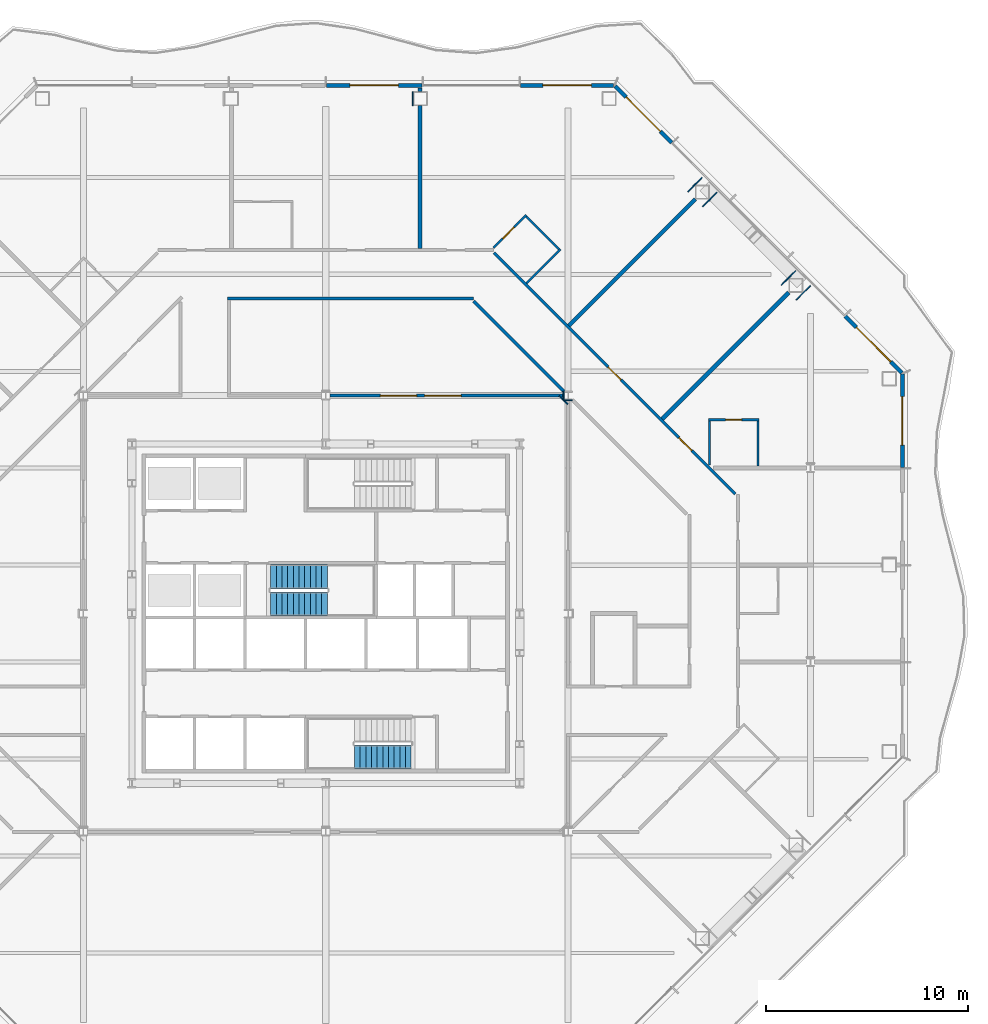
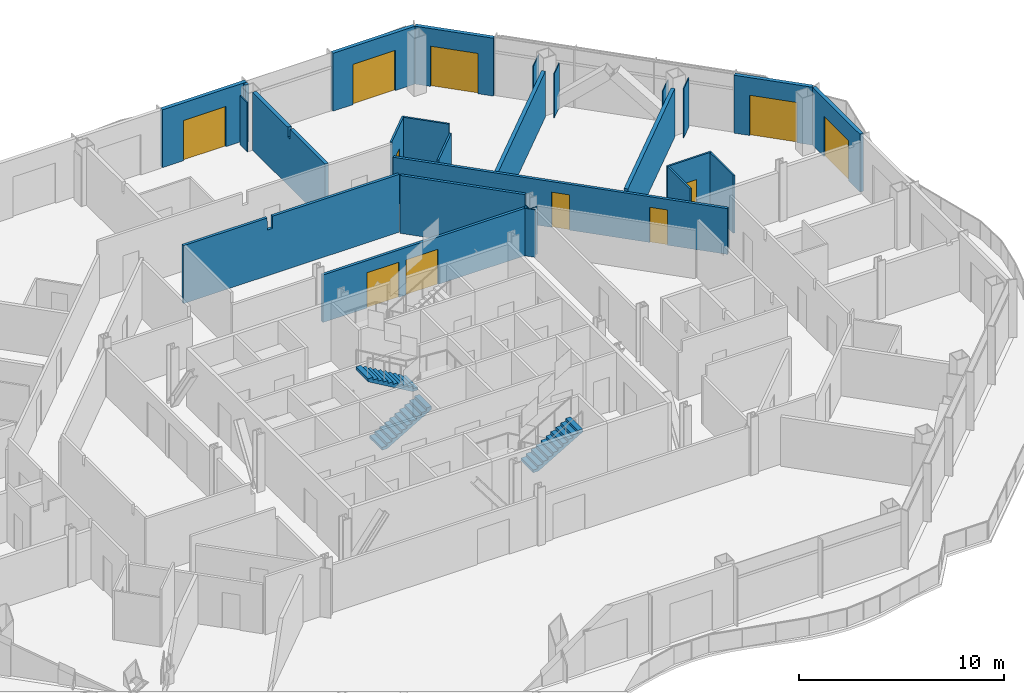
# One storey, part 15 of 24: 27 walls, 11 doors, 3 stair flights, 11 openings, 2 elements without a shape of their own.
"""IFC4 building model written with IfcOpenShell, lengths in metres."""

from ifc_helpers import new_model, si_unit, direction, frame, frame_2d, origin, place, context, subcontext, project, spatial, polyline, rectangle, outline, extrude, material, layer, layer_set, type_object, element, fill, aggregate, save


model = new_model("IFC4")

# Units and contexts
model_context = context("Model", 3, precision=1e-05, world=origin(), true_north=direction((0.0, 1.0)))
body_context = subcontext(model_context, "Body", "Model", "MODEL_VIEW")
ifc_project = project(units=[si_unit("LENGTHUNIT", "METRE"), si_unit("AREAUNIT", "SQUARE_METRE"), si_unit("VOLUMEUNIT", "CUBIC_METRE"), si_unit("PLANEANGLEUNIT", "RADIAN"), si_unit("MASSUNIT", "GRAM", prefix="KILO")], contexts=[model_context])

# Site, building, storey
site_placement = place(None, origin())
site = spatial("IfcSite", under=ifc_project, at=site_placement, CompositionType="ELEMENT")
building_placement = place(site_placement, origin())
building = spatial("IfcBuilding", under=site, at=building_placement, Name="Cairn Pilgrim Tower", CompositionType="ELEMENT")
storey_placement = place(building_placement, frame((0.0, 0.0, 125.39990234375)))
storey = spatial("IfcBuildingStorey", under=building, at=storey_placement, Name="L30", CompositionType="ELEMENT", Elevation=125.39990234375)

# Wall, opening, door
ifc_material_1 = material(Name="Bronze anodised aluminium insulated sandwich panel with mineral wool fill", Category="aluminium")
ifc_layer_1 = layer(ifc_material_1, 0.199951171875)
ifc_layer_set_1 = layer_set([ifc_layer_1], Name="BRONZE INFILL FRAME WALL 200")
wall_type_1 = type_object("IfcWallType", Name="BRONZE INFILL FRAME WALL 200", PredefinedType="NOTDEFINED", material=ifc_layer_set_1)
wall_1_placement = place(storey_placement, frame((35.75, 9.6298828125, 0.0), z_axis=(0.0, 0.0, 1.0), x_axis=(0.0, 1.0, 0.0)))
wall_1 = element("IfcWall", 1, at=wall_1_placement, inside=storey, type_object=wall_type_1, Name="Bronze infill frame wall IW-E4", PredefinedType="NOTDEFINED", context=body_context, shape_type="SweptSolid", body=[
    extrude(rectangle(XDim=4.62646484375, YDim=0.199951171875, at=frame_2d((2.313232421875, 0.0))), origin(), (0.0, 0.0, 1.0), 3.4501953125),
])
opening_1_placement = place(wall_1_placement, frame((1.117919921875, 0.0, 0.0)))
opening_1 = element("IfcOpeningElement", 2, at=opening_1_placement, cuts=wall_1, Name="Opening 3006B2", PredefinedType="OPENING", context=body_context, shape_type="SweptSolid", body=[
    extrude(rectangle(XDim=2.39990234375, YDim=2.39990234375, at=frame_2d((1.199951171875, 1.199951171875))), frame((0.0, 0.10986328125, 0.0), z_axis=(0.0, -1.0, 0.0), x_axis=(1.0, 0.0, 0.0)), (0.0, 0.0, 1.0), 0.219970703125),
])
ifc_material_2 = material(Name="Bronze anodised aluminium frame with tinted low-E glass", Category="aluminium")
door_type_1 = type_object("IfcDoorType", Name="BALCONY SLIDING DOOR 2400x2400", OperationType="DOUBLE_DOOR_SLIDING", PredefinedType="DOOR", material=ifc_material_2)
door_1_placement = place(opening_1_placement, origin())
door_1 = element("IfcDoor", 3, at=door_1_placement, inside=storey, type_object=door_type_1, Name="Balcony sliding door 3006B2", OperationType="SINGLE_SWING_LEFT", OverallHeight=2.39990234375, OverallWidth=2.39990234375, PredefinedType="DOOR", context=body_context, shape_type="SweptSolid", body=[
    extrude(rectangle(XDim=2.39990234375, YDim=2.39990234375, at=frame_2d((1.199951171875, 1.199951171875))), frame((0.0, 0.02490234375, 0.0), z_axis=(0.0, -1.0, 0.0), x_axis=(1.0, 0.0, 0.0)), (0.0, 0.0, 1.0), 0.050048828125),
])
fill(opening_1, door_1)

wall_2_placement = place(storey_placement, frame((35.7216796875, 14.32470703125, 0.0), z_axis=(0.0, 0.0, 1.0), x_axis=(-0.707106781187, 0.707106781187, 0.0)))
wall_2 = element("IfcWall", 4, at=wall_2_placement, inside=storey, type_object=wall_type_1, Name="Bronze infill frame wall IW-NE1", PredefinedType="NOTDEFINED", context=body_context, shape_type="SweptSolid", body=[
    extrude(rectangle(XDim=3.961669921875, YDim=0.199951171875, at=frame_2d((1.98095703125, 0.0))), origin(), (0.0, 0.0, 1.0), 3.4501953125),
])
opening_2_placement = place(wall_2_placement, frame((0.775390625, 0.0, 0.0)))
opening_2 = element("IfcOpeningElement", 5, at=opening_2_placement, cuts=wall_2, Name="Opening 3006B", PredefinedType="OPENING", context=body_context, shape_type="SweptSolid", body=[
    extrude(rectangle(XDim=2.39990234375, YDim=2.39990234375, at=frame_2d((1.199951171875, 1.199951171875))), frame((0.0, 0.10986328125, 0.0), z_axis=(0.0, -1.0, 0.0), x_axis=(1.0, 0.0, 0.0)), (0.0, 0.0, 1.0), 0.219970703125),
])
door_2_placement = place(opening_2_placement, origin())
door_2 = element("IfcDoor", 6, at=door_2_placement, inside=storey, type_object=door_type_1, Name="Balcony sliding door 3006B", OperationType="SINGLE_SWING_LEFT", OverallHeight=2.39990234375, OverallWidth=2.39990234375, PredefinedType="DOOR", context=body_context, shape_type="SweptSolid", body=[
    extrude(rectangle(XDim=2.39990234375, YDim=2.39990234375, at=frame_2d((1.199951171875, 1.199951171875))), frame((0.0, 0.02490234375, 0.0), z_axis=(0.0, -1.0, 0.0), x_axis=(1.0, 0.0, 0.0)), (0.0, 0.0, 1.0), 0.050048828125),
])
fill(opening_2, door_2)

wall_3_placement = place(storey_placement, frame((24.325927734375, 25.720458984375, 0.0), z_axis=(0.0, 0.0, 1.0), x_axis=(-0.707106781187, 0.707106781187, 0.0)))
wall_3 = element("IfcWall", 7, at=wall_3_placement, inside=storey, type_object=wall_type_1, Name="Bronze infill frame wall IW-NE5", PredefinedType="NOTDEFINED", context=body_context, shape_type="SweptSolid", body=[
    extrude(rectangle(XDim=3.961669921875, YDim=0.199951171875, at=frame_2d((1.98095703125, 0.0))), origin(), (0.0, 0.0, 1.0), 3.4501953125),
])
opening_3_placement = place(wall_3_placement, frame((0.78564453125, 0.0, 0.0)))
opening_3 = element("IfcOpeningElement", 8, at=opening_3_placement, cuts=wall_3, Name="Opening 3008B", PredefinedType="OPENING", context=body_context, shape_type="SweptSolid", body=[
    extrude(rectangle(XDim=2.39990234375, YDim=2.39990234375, at=frame_2d((1.199951171875, 1.199951171875))), frame((0.0, 0.10986328125, 0.0), z_axis=(0.0, -1.0, 0.0), x_axis=(1.0, 0.0, 0.0)), (0.0, 0.0, 1.0), 0.219970703125),
])
door_3_placement = place(opening_3_placement, origin())
door_3 = element("IfcDoor", 9, at=door_3_placement, inside=storey, type_object=door_type_1, Name="Balcony sliding door 3008B", OperationType="SINGLE_SWING_LEFT", OverallHeight=2.39990234375, OverallWidth=2.39990234375, PredefinedType="DOOR", context=body_context, shape_type="SweptSolid", body=[
    extrude(rectangle(XDim=2.39990234375, YDim=2.39990234375, at=frame_2d((1.199951171875, 1.199951171875))), frame((0.0, 0.02490234375, 0.0), z_axis=(0.0, -1.0, 0.0), x_axis=(1.0, 0.0, 0.0)), (0.0, 0.0, 1.0), 0.050048828125),
])
fill(opening_3, door_3)

wall_4_placement = place(storey_placement, frame((21.45654296875, 28.550048828125, 0.0), z_axis=(0.0, 0.0, 1.0), x_axis=(-1.0, 0.0, 0.0)))
wall_4 = element("IfcWall", 10, at=wall_4_placement, inside=storey, type_object=wall_type_1, Name="Bronze infill frame wall IW-N1", PredefinedType="NOTDEFINED", context=body_context, shape_type="SweptSolid", body=[
    extrude(rectangle(XDim=4.62646484375, YDim=0.199951171875, at=frame_2d((2.313232421875, 0.0))), origin(), (0.0, 0.0, 1.0), 3.4501953125),
])
opening_4_placement = place(wall_4_placement, frame((1.1083984375, 0.0, 0.0)))
opening_4 = element("IfcOpeningElement", 11, at=opening_4_placement, cuts=wall_4, Name="Opening 3008B2", PredefinedType="OPENING", context=body_context, shape_type="SweptSolid", body=[
    extrude(rectangle(XDim=2.39990234375, YDim=2.39990234375, at=frame_2d((1.199951171875, 1.199951171875))), frame((0.0, 0.10986328125, 0.0), z_axis=(0.0, -1.0, 0.0), x_axis=(1.0, 0.0, 0.0)), (0.0, 0.0, 1.0), 0.219970703125),
])
door_4_placement = place(opening_4_placement, origin())
door_4 = element("IfcDoor", 12, at=door_4_placement, inside=storey, type_object=door_type_1, Name="Balcony sliding door 3008B2", OperationType="SINGLE_SWING_LEFT", OverallHeight=2.39990234375, OverallWidth=2.39990234375, PredefinedType="DOOR", context=body_context, shape_type="SweptSolid", body=[
    extrude(rectangle(XDim=2.39990234375, YDim=2.39990234375, at=frame_2d((1.199951171875, 1.199951171875))), frame((0.0, 0.02490234375, 0.0), z_axis=(0.0, -1.0, 0.0), x_axis=(1.0, 0.0, 0.0)), (0.0, 0.0, 1.0), 0.050048828125),
])
fill(opening_4, door_4)

wall_5_placement = place(storey_placement, frame((11.969970703125, 28.550048828125, 0.0), z_axis=(0.0, 0.0, 1.0), x_axis=(-1.0, 0.0, 0.0)))
wall_5 = element("IfcWall", 13, at=wall_5_placement, inside=storey, type_object=wall_type_1, Name="Bronze infill frame wall IW-N3", PredefinedType="NOTDEFINED", context=body_context, shape_type="SweptSolid", body=[
    extrude(rectangle(XDim=4.739990234375, YDim=0.199951171875, at=frame_2d((2.3701171875, 0.0))), origin(), (0.0, 0.0, 1.0), 3.4501953125),
])
opening_5_placement = place(wall_5_placement, frame((1.17041015625, 0.0, 0.0)))
opening_5 = element("IfcOpeningElement", 14, at=opening_5_placement, cuts=wall_5, Name="Opening 3009B", PredefinedType="OPENING", context=body_context, shape_type="SweptSolid", body=[
    extrude(rectangle(XDim=2.39990234375, YDim=2.39990234375, at=frame_2d((1.199951171875, 1.199951171875))), frame((0.0, 0.10986328125, 0.0), z_axis=(0.0, -1.0, 0.0), x_axis=(1.0, 0.0, 0.0)), (0.0, 0.0, 1.0), 0.219970703125),
])
door_5_placement = place(opening_5_placement, origin())
door_5 = element("IfcDoor", 15, at=door_5_placement, inside=storey, type_object=door_type_1, Name="Balcony sliding door 3009B", OperationType="SINGLE_SWING_LEFT", OverallHeight=2.39990234375, OverallWidth=2.39990234375, PredefinedType="DOOR", context=body_context, shape_type="SweptSolid", body=[
    extrude(rectangle(XDim=2.39990234375, YDim=2.39990234375, at=frame_2d((1.199951171875, 1.199951171875))), frame((0.0, 0.02490234375, 0.0), z_axis=(0.0, -1.0, 0.0), x_axis=(1.0, 0.0, 0.0)), (0.0, 0.0, 1.0), 0.050048828125),
])
fill(opening_5, door_5)

# Walls
ifc_material_3 = material(Name="Gypsum partition")
ifc_layer_2 = layer(ifc_material_3, 0.10009765625)
ifc_layer_set_2 = layer_set([ifc_layer_2], Name="PARTITION 100 DRYWALL")
wall_type_2 = type_object("IfcWallType", Name="PARTITION 100 DRYWALL", PredefinedType="PARTITIONING", material=ifc_layer_set_2)
wall_6_placement = place(storey_placement, frame((28.593994140625, 9.699951171875, 0.0), z_axis=(0.0, 0.0, 1.0), x_axis=(0.0, 1.0, 0.0)))
element("IfcWall", 16, at=wall_6_placement, inside=storey, type_object=wall_type_2, Name="PARTITION W059", PredefinedType="PARTITIONING", context=body_context, shape_type="SweptSolid", body=[
    extrude(outline(polyline([(0.0, 0.0), (2.25, 0.0), (2.25, 3.4501953125), (0.0048828125, 3.4501953125), (0.0029296875, 2.880126953125), (0.0, 2.880126953125), (0.0, 0.0)])), frame((0.0, 0.050048828125, 0.0), z_axis=(0.0, -1.0, 0.0), x_axis=(1.0, 0.0, 0.0)), (0.0, 0.0, 1.0), 0.10009765625),
])
wall_7_placement = place(storey_placement, frame((26.194091796875, 9.756103515625, 0.0), z_axis=(0.0, 0.0, 1.0), x_axis=(0.0, 1.0, 0.0)))
element("IfcWall", 17, at=wall_7_placement, inside=storey, type_object=wall_type_2, Name="PARTITION W060", PredefinedType="PARTITIONING", context=body_context, shape_type="SweptSolid", body=[
    extrude(rectangle(XDim=2.19384765625, YDim=0.10009765625, at=frame_2d((1.096923828125, 0.0))), origin(), (0.0, 0.0, 1.0), 3.4501953125),
])

# Wall, opening, door
wall_8_placement = place(storey_placement, frame((26.14404296875, 12.0, 0.0), z_axis=(0.0, 0.0, 1.0), x_axis=(1.0, 0.0, 0.0)))
wall_8 = element("IfcWall", 18, at=wall_8_placement, inside=storey, type_object=wall_type_2, Name="PARTITION W064", PredefinedType="PARTITIONING", context=body_context, shape_type="SweptSolid", body=[
    extrude(rectangle(XDim=2.5, YDim=0.10009765625, at=frame_2d((1.25, 0.0))), origin(), (0.0, 0.0, 1.0), 3.4501953125),
])
opening_6_placement = place(wall_8_placement, frame((0.85009765625, 0.0, 0.0)))
opening_6 = element("IfcOpeningElement", 19, at=opening_6_placement, cuts=wall_8, Name="Opening 3006A", PredefinedType="OPENING", context=body_context, shape_type="SweptSolid", body=[
    extrude(rectangle(XDim=0.800048828125, YDim=2.10009765625, at=frame_2d((0.39990234375, 1.050048828125))), frame((0.0, 0.06005859375, 0.0), z_axis=(0.0, -1.0, 0.0), x_axis=(1.0, 0.0, 0.0)), (0.0, 0.0, 1.0), 0.1201171875),
])
ifc_material_4 = material(Name="Timber door leaf", Category="wood")
door_type_2 = type_object("IfcDoorType", Name="WC DOOR 800x2100", OperationType="NOTDEFINED", PredefinedType="DOOR", material=ifc_material_4)
door_6_placement = place(opening_6_placement, origin())
door_6 = element("IfcDoor", 20, at=door_6_placement, inside=storey, type_object=door_type_2, Name="DOOR 3006A", OperationType="SINGLE_SWING_LEFT", OverallHeight=2.10009765625, OverallWidth=0.800048828125, PredefinedType="DOOR", context=body_context, shape_type="SweptSolid", body=[
    extrude(rectangle(XDim=0.800048828125, YDim=2.10009765625, at=frame_2d((0.39990234375, 1.050048828125))), frame((0.0, 0.02490234375, 0.0), z_axis=(0.0, -1.0, 0.0), x_axis=(1.0, 0.0, 0.0)), (0.0, 0.0, 1.0), 0.050048828125),
])
fill(opening_6, door_6)

# Walls
wall_9_placement = place(storey_placement, frame((17.14404296875, 18.756103515625, 0.0), z_axis=(0.0, 0.0, 1.0), x_axis=(0.707106781187, 0.707106781187, 0.0)))
element("IfcWall", 21, at=wall_9_placement, inside=storey, type_object=wall_type_2, Name="PARTITION W078", PredefinedType="PARTITIONING", context=body_context, shape_type="SweptSolid", body=[
    extrude(rectangle(XDim=2.374755859375, YDim=0.10009765625, at=frame_2d((1.1875, 0.0))), origin(), (0.0, 0.0, 1.0), 2.880126953125),
])
wall_10_placement = place(storey_placement, frame((18.752685546875, 20.435302734375, 0.0), z_axis=(0.0, 0.0, 1.0), x_axis=(-0.707106781187, 0.707106781187, 0.0)))
element("IfcWall", 22, at=wall_10_placement, inside=storey, type_object=wall_type_2, Name="PARTITION W081", PredefinedType="PARTITIONING", context=body_context, shape_type="SweptSolid", body=[
    extrude(rectangle(XDim=2.2998046875, YDim=0.10009765625, at=frame_2d((1.14990234375, 0.0))), origin(), (0.0, 0.0, 1.0), 3.4501953125),
])

# Wall, opening, door
wall_11_placement = place(storey_placement, frame((15.50439453125, 20.510498046875, 0.0), z_axis=(0.0, 0.0, 1.0), x_axis=(0.707159997125, 0.707053561243, 0.0)))
wall_11 = element("IfcWall", 23, at=wall_11_placement, inside=storey, type_object=wall_type_2, Name="PARTITION W085", PredefinedType="PARTITIONING", context=body_context, shape_type="SweptSolid", body=[
    extrude(rectangle(XDim=2.293701171875, YDim=0.10009765625, at=frame_2d((1.14697265625, 0.0))), origin(), (0.0, 0.0, 1.0), 3.4501953125),
])
opening_7_placement = place(wall_11_placement, frame((0.643798828125, 0.0, 0.0)))
opening_7 = element("IfcOpeningElement", 24, at=opening_7_placement, cuts=wall_11, Name="Opening 3008A", PredefinedType="OPENING", context=body_context, shape_type="SweptSolid", body=[
    extrude(rectangle(XDim=0.800048828125, YDim=2.10009765625, at=frame_2d((0.39990234375, 1.050048828125))), frame((0.0, 0.06005859375, 0.0), z_axis=(0.0, -1.0, 0.0), x_axis=(1.0, 0.0, 0.0)), (0.0, 0.0, 1.0), 0.1201171875),
])
door_7_placement = place(opening_7_placement, origin())
door_7 = element("IfcDoor", 25, at=door_7_placement, inside=storey, type_object=door_type_2, Name="DOOR 3008A", OperationType="SINGLE_SWING_LEFT", OverallHeight=2.10009765625, OverallWidth=0.800048828125, PredefinedType="DOOR", context=body_context, shape_type="SweptSolid", body=[
    extrude(rectangle(XDim=0.800048828125, YDim=2.10009765625, at=frame_2d((0.39990234375, 1.050048828125))), frame((0.0, 0.02490234375, 0.0), z_axis=(0.0, -1.0, 0.0), x_axis=(1.0, 0.0, 0.0)), (0.0, 0.0, 1.0), 0.050048828125),
])
fill(opening_7, door_7)

# Wall, openings, doors
ifc_layer_3 = layer(ifc_material_3, 0.14990234375)
ifc_layer_set_3 = layer_set([ifc_layer_3], Name="PARTITION 150 DRYWALL EI 60")
wall_type_3 = type_object("IfcWallType", Name="PARTITION 150 DRYWALL EI 60", PredefinedType="PARTITIONING", material=ifc_layer_set_3)
wall_12_placement = place(storey_placement, frame((27.471923828125, 8.322021484375, 0.0), z_axis=(0.0, 0.0, 1.0), x_axis=(-0.707106781187, 0.707106781187, 0.0)))
wall_12 = element("IfcWall", 26, at=wall_12_placement, inside=storey, type_object=wall_type_3, Name="PARTITION W053", PredefinedType="PARTITIONING", context=body_context, shape_type="SweptSolid", body=[
    extrude(rectangle(XDim=16.89990234375, YDim=0.14990234375, at=frame_2d((8.449951171875, 0.0))), origin(), (0.0, 0.0, 1.0), 2.72998046875),
])
opening_8_placement = place(wall_12_placement, frame((3.044189453125, 0.0, 0.0)))
opening_8 = element("IfcOpeningElement", 27, at=opening_8_placement, cuts=wall_12, Name="Opening 3006", PredefinedType="OPENING", context=body_context, shape_type="SweptSolid", body=[
    extrude(rectangle(XDim=0.89990234375, YDim=2.10009765625, at=frame_2d((0.449951171875, 1.050048828125))), frame((0.0, 0.0849609375, 0.0), z_axis=(0.0, -1.0, 0.0), x_axis=(1.0, 0.0, 0.0)), (0.0, 0.0, 1.0), 0.169921875),
])
opening_9_placement = place(wall_12_placement, frame((7.99951171875, 0.0, 0.0)))
opening_9 = element("IfcOpeningElement", 28, at=opening_9_placement, cuts=wall_12, Name="Opening 3007", PredefinedType="OPENING", context=body_context, shape_type="SweptSolid", body=[
    extrude(rectangle(XDim=0.89990234375, YDim=2.10009765625, at=frame_2d((0.449951171875, 1.050048828125))), frame((0.0, 0.0849609375, 0.0), z_axis=(0.0, -1.0, 0.0), x_axis=(1.0, 0.0, 0.0)), (0.0, 0.0, 1.0), 0.169921875),
])
door_type_3 = type_object("IfcDoorType", Name="ROOM DOOR 900x2100 FD30S", OperationType="NOTDEFINED", PredefinedType="DOOR", material=ifc_material_4)
door_8_placement = place(opening_8_placement, frame((0.89990234375, 0.0, 0.0), z_axis=(0.0, 0.0, 1.0), x_axis=(-1.0, 0.0, 0.0)))
door_8 = element("IfcDoor", 29, at=door_8_placement, inside=storey, type_object=door_type_3, Name="DOOR 3006", OperationType="SINGLE_SWING_LEFT", OverallHeight=2.10009765625, OverallWidth=0.89990234375, PredefinedType="DOOR", context=body_context, shape_type="SweptSolid", body=[
    extrude(rectangle(XDim=0.89990234375, YDim=2.10009765625, at=frame_2d((0.449951171875, 1.050048828125))), frame((0.0, 0.02490234375, 0.0), z_axis=(0.0, -1.0, 0.0), x_axis=(1.0, 0.0, 0.0)), (0.0, 0.0, 1.0), 0.050048828125),
])
fill(opening_8, door_8)
door_type_4 = type_object("IfcDoorType", Name="SERVICE DOOR 900x2100 FD30S", OperationType="NOTDEFINED", PredefinedType="DOOR", material=ifc_material_4)
door_9_placement = place(opening_9_placement, frame((0.89990234375, 0.0, 0.0), z_axis=(0.0, 0.0, 1.0), x_axis=(-1.0, 0.0, 0.0)))
door_9 = element("IfcDoor", 30, at=door_9_placement, inside=storey, type_object=door_type_4, Name="DOOR 3007", OperationType="SINGLE_SWING_LEFT", OverallHeight=2.10009765625, OverallWidth=0.89990234375, PredefinedType="DOOR", context=body_context, shape_type="SweptSolid", body=[
    extrude(rectangle(XDim=0.89990234375, YDim=2.10009765625, at=frame_2d((0.449951171875, 1.050048828125))), frame((0.0, 0.02490234375, 0.0), z_axis=(0.0, -1.0, 0.0), x_axis=(1.0, 0.0, 0.0)), (0.0, 0.0, 1.0), 0.050048828125),
])
fill(opening_9, door_9)

wall_13_placement = place(storey_placement, frame((7.404541015625, 13.199951171875, 0.0), z_axis=(0.0, 0.0, 1.0), x_axis=(1.0, 0.0, 0.0)))
wall_13 = element("IfcWall", 31, at=wall_13_placement, inside=storey, type_object=wall_type_3, Name="PARTITION W068", PredefinedType="PARTITIONING", context=body_context, shape_type="SweptSolid", body=[
    extrude(rectangle(XDim=11.591064453125, YDim=0.14990234375, at=frame_2d((5.79541015625, 0.0))), origin(), (0.0, 0.0, 1.0), 2.830078125),
])
opening_10_placement = place(wall_13_placement, frame((2.49560546875, 0.0, 0.0)))
opening_10 = element("IfcOpeningElement", 32, at=opening_10_placement, cuts=wall_13, Name="Opening 3018", PredefinedType="OPENING", context=body_context, shape_type="SweptSolid", body=[
    extrude(rectangle(XDim=1.800048828125, YDim=2.10009765625, at=frame_2d((0.89990234375, 1.050048828125))), frame((0.0, 0.0849609375, 0.0), z_axis=(0.0, -1.0, 0.0), x_axis=(1.0, 0.0, 0.0)), (0.0, 0.0, 1.0), 0.169921875),
])
opening_11_placement = place(wall_13_placement, frame((4.695556640625, 0.0, 0.0)))
opening_11 = element("IfcOpeningElement", 33, at=opening_11_placement, cuts=wall_13, Name="Opening 3018A", PredefinedType="OPENING", context=body_context, shape_type="SweptSolid", body=[
    extrude(rectangle(XDim=1.800048828125, YDim=2.10009765625, at=frame_2d((0.89990234375, 1.050048828125))), frame((0.0, 0.0849609375, 0.0), z_axis=(0.0, -1.0, 0.0), x_axis=(1.0, 0.0, 0.0)), (0.0, 0.0, 1.0), 0.169921875),
])
door_type_5 = type_object("IfcDoorType", Name="DOOR PAIR 1800x2100 FD60S", OperationType="NOTDEFINED", PredefinedType="DOOR", material=ifc_material_4)
door_10_placement = place(opening_10_placement, origin())
door_10 = element("IfcDoor", 34, at=door_10_placement, inside=storey, type_object=door_type_5, Name="DOOR 3018", OperationType="DOUBLE_DOOR_SINGLE_SWING", OverallHeight=2.10009765625, OverallWidth=1.800048828125, PredefinedType="DOOR", context=body_context, shape_type="SweptSolid", body=[
    extrude(rectangle(XDim=1.800048828125, YDim=2.10009765625, at=frame_2d((0.89990234375, 1.050048828125))), frame((0.0, 0.02490234375, 0.0), z_axis=(0.0, -1.0, 0.0), x_axis=(1.0, 0.0, 0.0)), (0.0, 0.0, 1.0), 0.050048828125),
])
fill(opening_10, door_10)
door_11_placement = place(opening_11_placement, origin())
door_11 = element("IfcDoor", 35, at=door_11_placement, inside=storey, type_object=door_type_5, Name="DOOR 3018A", OperationType="DOUBLE_DOOR_SINGLE_SWING", OverallHeight=2.10009765625, OverallWidth=1.800048828125, PredefinedType="DOOR", context=body_context, shape_type="SweptSolid", body=[
    extrude(rectangle(XDim=1.800048828125, YDim=2.10009765625, at=frame_2d((0.89990234375, 1.050048828125))), frame((0.0, 0.02490234375, 0.0), z_axis=(0.0, -1.0, 0.0), x_axis=(1.0, 0.0, 0.0)), (0.0, 0.0, 1.0), 0.050048828125),
])
fill(opening_11, door_11)

# Walls
wall_14_placement = place(storey_placement, frame((18.991455078125, 13.408447265625, 0.0), z_axis=(0.0, 0.0, 1.0), x_axis=(-0.707087442572, 0.707126119272, 0.0)))
element("IfcWall", 36, at=wall_14_placement, inside=storey, type_object=wall_type_3, Name="PARTITION W072", PredefinedType="PARTITIONING", context=body_context, shape_type="SweptSolid", body=[
    extrude(rectangle(XDim=6.312255859375, YDim=0.14990234375, at=frame_2d((3.15625, 0.0))), origin(), (0.0, 0.0, 1.0), 3.4501953125),
])
wall_15_placement = place(storey_placement, frame((2.324951171875, 18.0, 0.0), z_axis=(0.0, 0.0, 1.0), x_axis=(1.0, 0.0, 0.0)))
element("IfcWall", 37, at=wall_15_placement, inside=storey, type_object=wall_type_3, Name="PARTITION W075", PredefinedType="PARTITIONING", context=body_context, shape_type="SweptSolid", body=[
    extrude(outline(polyline([(0.0, 0.0), (12.18115234375, 0.0), (12.18115234375, 3.4501953125), (5.02490234375, 3.4501953125), (5.02294921875, 2.72998046875), (4.72509765625, 2.72998046875), (4.722900390625, 3.4501953125), (0.0, 3.4501953125), (0.0, 0.0)])), frame((0.0, 0.074951171875, 0.0), z_axis=(0.0, -1.0, 0.0), x_axis=(1.0, 0.0, 0.0)), (0.0, 0.0, 1.0), 0.14990234375),
])
ifc_layer_4 = layer(ifc_material_3, 0.050048828125)
ifc_layer_set_4 = layer_set([ifc_layer_4], Name="PARTITION 50 DRYWALL EI 60")
wall_type_4 = type_object("IfcWallType", Name="PARTITION 50 DRYWALL EI 60", PredefinedType="PARTITIONING", material=ifc_layer_set_4)
wall_16_placement = place(storey_placement, frame((18.970458984375, 12.987548828125, 0.0), z_axis=(0.0, 0.0, 1.0), x_axis=(0.0, 1.0, 0.0)))
element("IfcWall", 38, at=wall_16_placement, inside=storey, type_object=wall_type_4, Name="COLUMN CASING WC18", PredefinedType="PARTITIONING", context=body_context, shape_type="SweptSolid", body=[
    extrude(rectangle(XDim=0.425048828125, YDim=0.050048828125, at=frame_2d((0.21240234375, 0.0))), origin(), (0.0, 0.0, 1.0), 2.830078125),
])
wall_17_placement = place(storey_placement, frame((19.182373046875, 12.765380859375, 0.0), z_axis=(0.0, 0.0, 1.0), x_axis=(-0.707106781187, 0.707106781187, 0.0)))
element("IfcWall", 39, at=wall_17_placement, inside=storey, type_object=wall_type_4, Name="COLUMN CASING WC24", PredefinedType="PARTITIONING", context=body_context, shape_type="SweptSolid", body=[
    extrude(rectangle(XDim=0.589599609375, YDim=0.050048828125, at=frame_2d((0.294921875, 0.0))), origin(), (0.0, 0.0, 1.0), 2.830078125),
])
wall_18_placement = place(storey_placement, frame((29.758056640625, 18.669189453125, 0.0), z_axis=(0.0, 0.0, 1.0), x_axis=(0.707106781187, 0.707106781187, 0.0)))
element("IfcWall", 40, at=wall_18_placement, inside=storey, type_object=wall_type_4, Name="COLUMN CASING WC27", PredefinedType="PARTITIONING", context=body_context, shape_type="SweptSolid", body=[
    extrude(rectangle(XDim=0.989990234375, YDim=0.050048828125, at=frame_2d((0.4951171875, 0.0))), origin(), (0.0, 0.0, 1.0), 2.630126953125),
])
wall_19_placement = place(storey_placement, frame((30.493408203125, 17.933837890625, 0.0), z_axis=(0.0, 0.0, 1.0), x_axis=(0.707106781187, 0.707106781187, 0.0)))
element("IfcWall", 41, at=wall_19_placement, inside=storey, type_object=wall_type_4, Name="COLUMN CASING WC28", PredefinedType="PARTITIONING", context=body_context, shape_type="SweptSolid", body=[
    extrude(rectangle(XDim=0.989990234375, YDim=0.050048828125, at=frame_2d((0.4951171875, 0.0))), origin(), (0.0, 0.0, 1.0), 2.93017578125),
])
wall_20_placement = place(storey_placement, frame((18.99560546875, 12.96240234375, 0.0), z_axis=(0.0, 0.0, 1.0), x_axis=(1.0, 0.0, 0.0)))
element("IfcWall", 42, at=wall_20_placement, inside=storey, type_object=wall_type_4, Name="COLUMN CASING WC32", PredefinedType="PARTITIONING", context=body_context, shape_type="SweptSolid", body=[
    extrude(rectangle(XDim=0.408935546875, YDim=0.050048828125, at=frame_2d((0.20458984375, 0.0))), origin(), (0.0, 0.0, 1.0), 2.830078125),
])
wall_21_placement = place(storey_placement, frame((25.1337890625, 23.29345703125, 0.0), z_axis=(0.0, 0.0, 1.0), x_axis=(0.707106781187, 0.707106781187, 0.0)))
element("IfcWall", 43, at=wall_21_placement, inside=storey, type_object=wall_type_4, Name="COLUMN CASING WC35", PredefinedType="PARTITIONING", context=body_context, shape_type="SweptSolid", body=[
    extrude(rectangle(XDim=0.989990234375, YDim=0.050048828125, at=frame_2d((0.4951171875, 0.0))), origin(), (0.0, 0.0, 1.0), 2.93017578125),
])
wall_22_placement = place(storey_placement, frame((25.869140625, 22.55810546875, 0.0), z_axis=(0.0, 0.0, 1.0), x_axis=(0.707106781187, 0.707106781187, 0.0)))
element("IfcWall", 44, at=wall_22_placement, inside=storey, type_object=wall_type_4, Name="COLUMN CASING WC36", PredefinedType="PARTITIONING", context=body_context, shape_type="SweptSolid", body=[
    extrude(rectangle(XDim=0.989990234375, YDim=0.050048828125, at=frame_2d((0.4951171875, 0.0))), origin(), (0.0, 0.0, 1.0), 2.630126953125),
])
wall_23_placement = place(storey_placement, frame((11.500732421875, 27.550048828125, 0.0), z_axis=(0.0, 0.0, 1.0), x_axis=(0.0, 1.0, 0.0)))
element("IfcWall", 45, at=wall_23_placement, inside=storey, type_object=wall_type_4, Name="COLUMN CASING WC38", PredefinedType="PARTITIONING", context=body_context, shape_type="SweptSolid", body=[
    extrude(rectangle(XDim=0.699951171875, YDim=0.050048828125, at=frame_2d((0.35009765625, 0.0))), origin(), (0.0, 0.0, 1.0), 2.93017578125),
])
ifc_layer_5 = layer(ifc_material_3, 0.199951171875)
ifc_layer_set_5 = layer_set([ifc_layer_5], Name="SHAFT WALL 200 GYPSUM EI 60")
wall_type_5 = type_object("IfcWallType", Name="SHAFT WALL 200 GYPSUM EI 60", PredefinedType="PARTITIONING", material=ifc_layer_set_5)
wall_24_placement = place(storey_placement, frame((23.862060546875, 12.0380859375, 0.0), z_axis=(0.0, 0.0, 1.0), x_axis=(0.707106781187, 0.707106781187, 0.0)))
element("IfcWall", 46, at=wall_24_placement, inside=storey, type_object=wall_type_5, Name="PARTITION W063", PredefinedType="PARTITIONING", context=body_context, shape_type="SweptSolid", body=[
    extrude(rectangle(XDim=8.85791015625, YDim=0.199951171875, at=frame_2d((4.428955078125, 0.0))), origin(), (0.0, 0.0, 1.0), 2.880126953125),
])
wall_25_placement = place(storey_placement, frame((19.238037109375, 16.662109375, 0.0), z_axis=(0.0, 0.0, 1.0), x_axis=(0.707120561855, 0.707093000249, 0.0)))
element("IfcWall", 47, at=wall_25_placement, inside=storey, type_object=wall_type_5, Name="PARTITION W074", PredefinedType="PARTITIONING", context=body_context, shape_type="SweptSolid", body=[
    extrude(rectangle(XDim=8.85791015625, YDim=0.199951171875, at=frame_2d((4.428955078125, 0.0))), origin(), (0.0, 0.0, 1.0), 2.72998046875),
])
wall_26_placement = place(storey_placement, frame((11.8759765625, 20.47509765625, 0.0), z_axis=(0.0, 0.0, 1.0), x_axis=(0.0, 1.0, 0.0)))
element("IfcWall", 48, at=wall_26_placement, inside=storey, type_object=wall_type_5, Name="PARTITION W084", PredefinedType="PARTITIONING", context=body_context, shape_type="SweptSolid", body=[
    extrude(outline(polyline([(0.0, 0.0), (7.074951171875, 0.0), (7.074951171875, 3.4501953125), (3.6298828125, 3.4501953125), (3.6279296875, 2.880126953125), (3.419921875, 2.880126953125), (3.41796875, 3.4501953125), (0.0, 3.4501953125), (0.0, 0.0)])), frame((0.0, 0.10009765625, 0.0), z_axis=(0.0, -1.0, 0.0), x_axis=(1.0, 0.0, 0.0)), (0.0, 0.0, 1.0), 0.199951171875),
])
wall_27_placement = place(storey_placement, frame((11.8759765625, 28.25, 0.0), z_axis=(0.0, 0.0, 1.0), x_axis=(0.0, 1.0, 0.0)))
element("IfcWall", 49, at=wall_27_placement, inside=storey, type_object=wall_type_5, Name="PARTITION W088", PredefinedType="PARTITIONING", context=body_context, shape_type="SweptSolid", body=[
    extrude(rectangle(XDim=0.169921875, YDim=0.199951171875, at=frame_2d((0.0849609375, 0.0))), origin(), (0.0, 0.0, 1.0), 3.4501953125),
])

# Stair, stair flight
ifc_material_5 = material(Name="Concrete C32/40", Category="concrete")
stair_type = type_object("IfcStairType", Name="EXIT STAIR 1200", PredefinedType="HALF_TURN_STAIR", material=ifc_material_5)
stair_1_placement = place(storey_placement, origin())
stair_1 = element("IfcStair", 50, at=stair_1_placement, inside=storey, type_object=stair_type, Name="L30 Exit Stair A", PredefinedType="HALF_TURN_STAIR")
stair_flight_type = type_object("IfcStairFlightType", Name="STAIR FLIGHT 1200", PredefinedType="STRAIGHT", material=ifc_material_5)
stair_flight_1_placement = place(storey_placement, frame((8.625, -4.699951171875, 1.800048828125), z_axis=(0.0, 0.0, 1.0), x_axis=(1.0, 0.0, 0.0)))
stair_flight_1 = element("IfcStairFlight", 51, at=stair_flight_1_placement, type_object=stair_flight_type, Name="ST-A flight 2", NumberOfRisers=11, NumberOfTreads=10, PredefinedType="STRAIGHT", RiserHeight=0.163636364, TreadLength=0.28, context=body_context, shape_type="SweptSolid", body=[
    extrude(outline(polyline([(0.0, 0.0), (0.0, 0.16357421875), (0.280029296875, 0.16357421875), (0.280029296875, 0.327392578125), (0.56005859375, 0.327392578125), (0.56005859375, 0.490966796875), (0.840087890625, 0.490966796875), (0.840087890625, 0.654541015625), (1.1201171875, 0.654541015625), (1.1201171875, 0.818115234375), (1.39990234375, 0.818115234375), (1.39990234375, 0.98193359375), (1.679931640625, 0.98193359375), (1.679931640625, 1.1455078125), (1.9599609375, 1.1455078125), (1.9599609375, 1.30908203125), (2.239990234375, 1.30908203125), (2.239990234375, 1.47265625), (2.52001953125, 1.47265625), (2.52001953125, 1.636474609375), (2.800048828125, 1.636474609375), (2.800048828125, 1.800048828125), (2.800048828125, 1.462646484375), (0.297119140625, 0.0), (0.0, 0.0)])), frame((0.0, 0.60009765625, 0.0), z_axis=(0.0, -1.0, 0.0), x_axis=(1.0, 0.0, 0.0)), (0.0, 0.0, 1.0), 1.199951171875),
])
aggregate(stair_1, [stair_flight_1])

# Stair, stair flights
stair_2_placement = place(storey_placement, origin())
stair_2 = element("IfcStair", 52, at=stair_2_placement, inside=storey, type_object=stair_type, Name="L30 Exit Stair B", PredefinedType="HALF_TURN_STAIR")
stair_flight_2_placement = place(storey_placement, frame((4.47509765625, 2.875, 0.0), z_axis=(0.0, 0.0, 1.0), x_axis=(1.0, 0.0, 0.0)))
stair_flight_2 = element("IfcStairFlight", 53, at=stair_flight_2_placement, type_object=stair_flight_type, Name="ST-B flight 1", NumberOfRisers=11, NumberOfTreads=10, PredefinedType="STRAIGHT", RiserHeight=0.163636364, TreadLength=0.28, context=body_context, shape_type="SweptSolid", body=[
    extrude(outline(polyline([(0.0, 0.0), (0.0, 0.16357421875), (0.280029296875, 0.16357421875), (0.280029296875, 0.327392578125), (0.56005859375, 0.327392578125), (0.56005859375, 0.490966796875), (0.840087890625, 0.490966796875), (0.840087890625, 0.654541015625), (1.1201171875, 0.654541015625), (1.1201171875, 0.818115234375), (1.39990234375, 0.818115234375), (1.39990234375, 0.98193359375), (1.679931640625, 0.98193359375), (1.679931640625, 1.1455078125), (1.9599609375, 1.1455078125), (1.9599609375, 1.30908203125), (2.239990234375, 1.30908203125), (2.239990234375, 1.47265625), (2.52001953125, 1.47265625), (2.52001953125, 1.636474609375), (2.800048828125, 1.636474609375), (2.800048828125, 1.800048828125), (2.800048828125, 1.462646484375), (0.297119140625, 0.0), (0.0, 0.0)])), frame((0.0, 0.60009765625, 0.0), z_axis=(0.0, -1.0, 0.0), x_axis=(1.0, 0.0, 0.0)), (0.0, 0.0, 1.0), 1.199951171875),
])
stair_flight_3_placement = place(storey_placement, frame((7.27490234375, 4.22509765625, 1.800048828125), z_axis=(0.0, 0.0, 1.0), x_axis=(-1.0, 0.0, 0.0)))
stair_flight_3 = element("IfcStairFlight", 54, at=stair_flight_3_placement, type_object=stair_flight_type, Name="ST-B flight 2", NumberOfRisers=11, NumberOfTreads=10, PredefinedType="STRAIGHT", RiserHeight=0.163636364, TreadLength=0.28, context=body_context, shape_type="SweptSolid", body=[
    extrude(outline(polyline([(0.0, 0.0), (0.0, 0.16357421875), (0.280029296875, 0.16357421875), (0.280029296875, 0.327392578125), (0.56005859375, 0.327392578125), (0.56005859375, 0.490966796875), (0.840087890625, 0.490966796875), (0.840087890625, 0.654541015625), (1.1201171875, 0.654541015625), (1.1201171875, 0.818115234375), (1.39990234375, 0.818115234375), (1.39990234375, 0.98193359375), (1.679931640625, 0.98193359375), (1.679931640625, 1.1455078125), (1.9599609375, 1.1455078125), (1.9599609375, 1.30908203125), (2.239990234375, 1.30908203125), (2.239990234375, 1.47265625), (2.52001953125, 1.47265625), (2.52001953125, 1.636474609375), (2.800048828125, 1.636474609375), (2.800048828125, 1.800048828125), (2.800048828125, 1.462646484375), (0.297119140625, 0.0), (0.0, 0.0)])), frame((0.0, 0.60009765625, 0.0), z_axis=(0.0, -1.0, 0.0), x_axis=(1.0, 0.0, 0.0)), (0.0, 0.0, 1.0), 1.199951171875),
])
aggregate(stair_2, [stair_flight_2, stair_flight_3])

save(model, "model.ifc")
